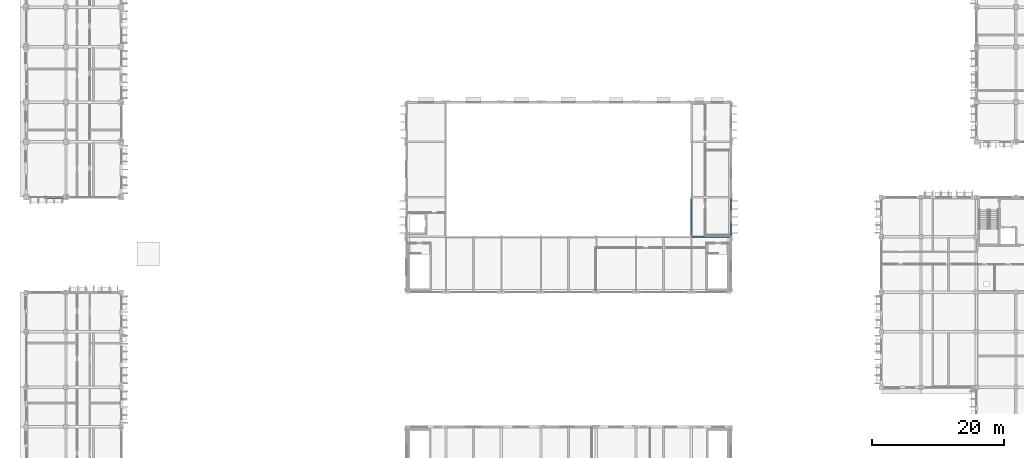
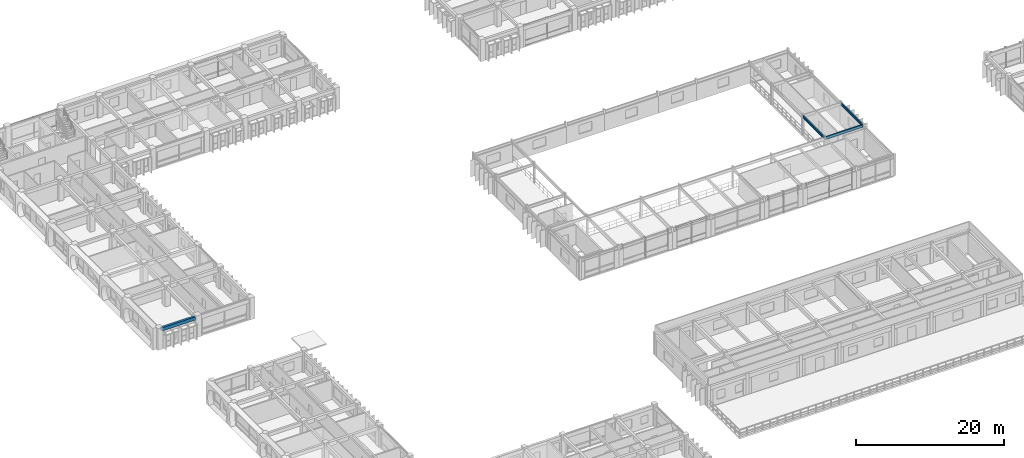
# One storey, part 22 of 88: 4 beams.
"""IFC4 building model written with IfcOpenShell, lengths in metres."""

from ifc_helpers import new_model, si_unit, direction, frame, origin, origin_2d, place, context, subcontext, project, spatial, rectangle, i_section, extrude, material, material_profile, profile_set, type_object, element, save


model = new_model("IFC4")

# Units and contexts
model_context = context("Model", 3, precision=1e-05, world=origin(), true_north=direction((0.0, 1.0)))
body_context = subcontext(model_context, "Body", "Model", "MODEL_VIEW")
ifc_project = project(units=[si_unit("LENGTHUNIT", "METRE"), si_unit("AREAUNIT", "SQUARE_METRE"), si_unit("VOLUMEUNIT", "CUBIC_METRE"), si_unit("PLANEANGLEUNIT", "RADIAN"), si_unit("MASSUNIT", "GRAM", prefix="KILO"), si_unit("THERMODYNAMICTEMPERATUREUNIT", "KELVIN")], contexts=[model_context])

# Site, building, storey
site_placement = place(None, origin())
site = spatial("IfcSite", under=ifc_project, at=site_placement, CompositionType="ELEMENT")
building_placement = place(site_placement, origin())
building = spatial("IfcBuilding", under=site, at=building_placement, Name="Thalorik Housing Commons", CompositionType="ELEMENT")
storey_placement = place(building_placement, frame((0.0, 0.0, 4.5)))
storey = spatial("IfcBuildingStorey", under=building, at=storey_placement, Name="L01", CompositionType="ELEMENT", Elevation=4.5)

# Beams
ifc_material_1 = material(Name="Precast concrete C40/50", Category="concrete")
ifc_material_profile_1 = material_profile(ifc_material_1, rectangle(XDim=0.320068359375, YDim=0.550048828125, at=origin_2d()), Name="PC 320x550", Category="concrete")
ifc_profile_set_1 = profile_set([ifc_material_profile_1], Name="Precast concrete C40/50")
beam_type_1 = type_object("IfcBeamType", Name="STR-BM-PC320x550", PredefinedType="BEAM", material=ifc_profile_set_1)
beam_1_placement = place(storey_placement, frame((8.75, 72.0, 3.06494140625), z_axis=(1.0, 0.0, 0.0), x_axis=(0.0, 1.0, 0.0)))
element("IfcBeam", 1, at=beam_1_placement, inside=storey, type_object=beam_type_1, Name="L01 Beam B-550", PredefinedType="BEAM", context=body_context, shape_type="SweptSolid", body=[
    extrude(rectangle(XDim=0.320068359375, YDim=0.550048828125, at=origin_2d()), origin(), (0.0, 0.0, 1.0), 5.300048828125),
])
ifc_material_2 = material(Name="Steel S355", Category="steel")
ifc_material_profile_2 = material_profile(ifc_material_2, i_section(OverallWidth=0.179931640625, OverallDepth=0.4130859375, WebThickness=0.009765625, FlangeThickness=0.01611328125, FilletRadius=0.010986328125, at=origin_2d()), Name="W410x75", Category="steel")
ifc_profile_set_2 = profile_set([ifc_material_profile_2], Name="Steel S355")
beam_type_2 = type_object("IfcBeamType", Name="STR-BM-W410x75", PredefinedType="BEAM", material=ifc_profile_set_2)
beam_2_placement = place(storey_placement, frame((109.199951171875, 66.076904296875, 3.133544921875), z_axis=(0.0, 1.0, 0.0), x_axis=(-1.0, 0.0, 0.0)))
element("IfcBeam", 2, at=beam_2_placement, inside=storey, type_object=beam_type_2, Name="L01 Beam SB-410", PredefinedType="BEAM", context=body_context, shape_type="SweptSolid", body=[
    extrude(i_section(OverallWidth=0.179931640625, OverallDepth=0.4130859375, WebThickness=0.009765625, FlangeThickness=0.01611328125, FilletRadius=0.010986328125, at=origin_2d()), origin(), (0.0, 0.0, 1.0), 5.84619140625),
])
beam_3_placement = place(storey_placement, frame((115.199951171875, 66.10400390625, 3.133544921875), z_axis=(0.0, 1.0, 0.0), x_axis=(-1.0, 0.0, 0.0)))
element("IfcBeam", 3, at=beam_3_placement, inside=storey, type_object=beam_type_2, Name="L01 Beam SB-410", PredefinedType="BEAM", context=body_context, shape_type="SweptSolid", body=[
    extrude(i_section(OverallWidth=0.179931640625, OverallDepth=0.4130859375, WebThickness=0.009765625, FlangeThickness=0.01611328125, FilletRadius=0.010986328125, at=origin_2d()), origin(), (0.0, 0.0, 1.0), 5.7919921875),
])
ifc_material_profile_3 = material_profile(ifc_material_2, i_section(OverallWidth=0.19189453125, OverallDepth=0.462890625, WebThickness=0.010498046875, FlangeThickness=0.017578125, FilletRadius=0.011962890625, at=origin_2d()), Name="W460x89", Category="steel")
ifc_profile_set_3 = profile_set([ifc_material_profile_3], Name="Steel S355")
beam_type_3 = type_object("IfcBeamType", Name="STR-BM-W460x89", PredefinedType="BEAM", material=ifc_profile_set_3)
beam_4_placement = place(storey_placement, frame((109.280029296875, 66.0, 3.1083984375), z_axis=(1.0, 0.0, 0.0), x_axis=(0.0, 1.0, 0.0)))
element("IfcBeam", 4, at=beam_4_placement, inside=storey, type_object=beam_type_3, Name="L01 Beam SB-460", PredefinedType="BEAM", context=body_context, shape_type="SweptSolid", body=[
    extrude(i_section(OverallWidth=0.19189453125, OverallDepth=0.462890625, WebThickness=0.010498046875, FlangeThickness=0.017578125, FilletRadius=0.011962890625, at=origin_2d()), origin(), (0.0, 0.0, 1.0), 5.81494140625),
])

save(model, "model.ifc")
